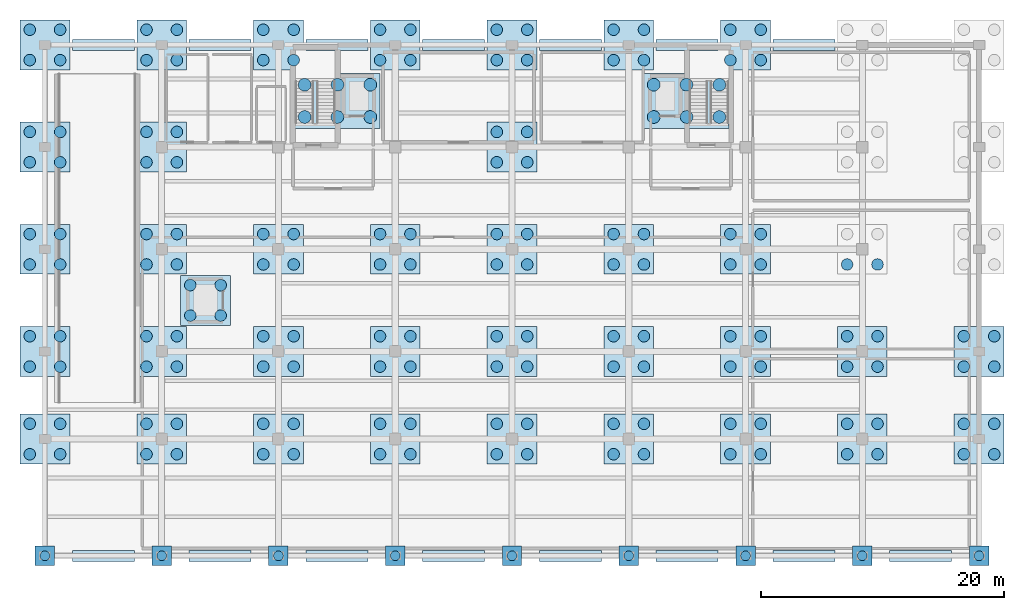
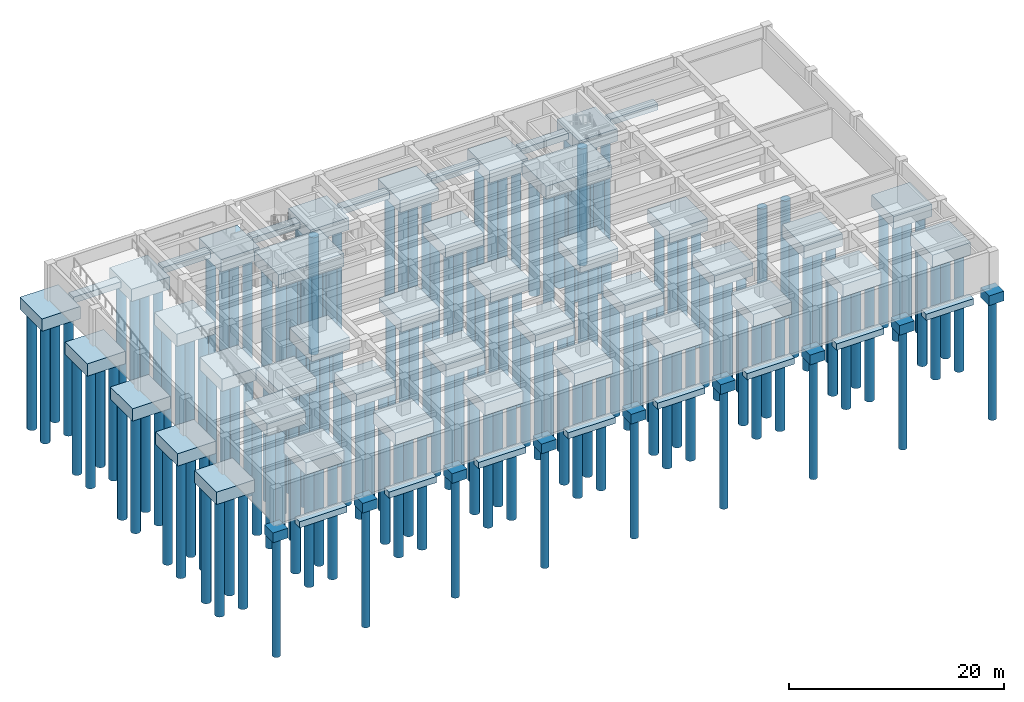
# One storey, part 1 of 8: 167 piles, 62 footings.
"""IFC4 building model written with IfcOpenShell, lengths in metres."""

from ifc_helpers import new_model, si_unit, direction, frame, origin, origin_2d, place, context, subcontext, project, spatial, rectangle, circle, extrude, material, material_profile, profile_set, type_object, element, save


model = new_model("IFC4")

# Units and contexts
model_context = context("Model", 3, precision=1e-05, world=origin(), true_north=direction((0.0, 1.0)))
body_context = subcontext(model_context, "Body", "Model", "MODEL_VIEW")
ifc_project = project(units=[si_unit("LENGTHUNIT", "METRE"), si_unit("AREAUNIT", "SQUARE_METRE"), si_unit("VOLUMEUNIT", "CUBIC_METRE"), si_unit("PLANEANGLEUNIT", "RADIAN"), si_unit("MASSUNIT", "GRAM", prefix="KILO")], contexts=[model_context])

# Site, building, storey
site_placement = place(None, origin())
site = spatial("IfcSite", under=ifc_project, at=site_placement, CompositionType="ELEMENT")
building_placement = place(site_placement, origin())
building = spatial("IfcBuilding", under=site, at=building_placement, Name="Bempovik Park Faculty of Sciences", CompositionType="ELEMENT")
storey_placement = place(building_placement, frame((0.0, 0.0, -4.5)))
storey = spatial("IfcBuildingStorey", under=building, at=storey_placement, Name="B1", CompositionType="ELEMENT", Elevation=-4.5)

# Footings
ifc_material = material(Name="Concrete C35/45", Category="concrete")
footing_type_1 = type_object("IfcFootingType", Name="F-21 Pile Cap 4100x4100x1400", PredefinedType="PILE_CAP", material=ifc_material)
for number, where, z_axis, x_axis, name in (
    (1, (63.60009765625, 98.39990234375, -1.800048828125), (0.0, 0.0, 1.0), (1.0, 0.0, 0.0), "Footing FT-LF5-B1"),
    (2, (50.39990234375, 87.0, -1.800048828125), (0.0, 0.0, 1.0), (1.0, 0.0, 0.0), "Footing FT-B1-504-870"),
    (3, (50.39990234375, 94.199951171875, -1.800048828125), (0.0, 0.0, 1.0), (1.0, 0.0, 0.0), "Footing FT-B1-504-942"),
    (4, (50.39990234375, 102.60009765625, -1.800048828125), (0.0, 0.0, 1.0), (1.0, 0.0, 0.0), "Footing FT-B1-504-1026"),
    (5, (50.39990234375, 111.0, -1.800048828125), (0.0, 0.0, 1.0), (1.0, 0.0, 0.0), "Footing FT-B1-504-1110"),
    (6, (50.39990234375, 119.39990234375, -1.800048828125), (0.0, 0.0, 1.0), (1.0, 0.0, 0.0), "Footing FT-B1-504-1194"),
    (7, (60.0, 87.0, -1.800048828125), (0.0, 0.0, 1.0), (1.0, 0.0, 0.0), "Footing FT-B1-600-870"),
    (8, (60.0, 94.199951171875, -1.800048828125), (0.0, 0.0, 1.0), (1.0, 0.0, 0.0), "Footing FT-B1-600-942"),
    (9, (60.0, 102.60009765625, -1.800048828125), (0.0, 0.0, 1.0), (1.0, 0.0, 0.0), "Footing FT-B1-600-1026"),
    (10, (60.0, 111.0, -1.800048828125), (0.0, 0.0, 1.0), (1.0, 0.0, 0.0), "Footing FT-B1-600-1110"),
    (11, (60.0, 119.39990234375, -1.800048828125), (0.0, 0.0, 1.0), (1.0, 0.0, 0.0), "Footing FT-B1-600-1194"),
    (12, (69.60009765625, 87.0, -1.800048828125), (0.0, 0.0, 1.0), (1.0, 0.0, 0.0), "Footing FT-B1-696-870"),
    (13, (69.60009765625, 94.199951171875, -1.800048828125), (0.0, 0.0, 1.0), (1.0, 0.0, 0.0), "Footing FT-B1-696-942"),
    (14, (69.60009765625, 102.60009765625, -1.800048828125), (0.0, 0.0, 1.0), (1.0, 0.0, 0.0), "Footing FT-B1-696-1026"),
    (15, (69.60009765625, 119.39990234375, -1.800048828125), (0.0, 0.0, 1.0), (1.0, 0.0, 0.0), "Footing FT-B1-696-1194"),
    (16, (79.199951171875, 87.0, -1.800048828125), (0.0, 0.0, 1.0), (1.0, 0.0, 0.0), "Footing FT-B1-792-870"),
    (17, (79.199951171875, 94.199951171875, -1.800048828125), (0.0, 0.0, 1.0), (1.0, 0.0, 0.0), "Footing FT-B1-792-942"),
    (18, (79.199951171875, 102.60009765625, -1.800048828125), (0.0, 0.0, 1.0), (1.0, 0.0, 0.0), "Footing FT-B1-792-1026"),
    (19, (79.199951171875, 119.39990234375, -1.800048828125), (0.0, 0.0, 1.0), (1.0, 0.0, 0.0), "Footing FT-B1-792-1194"),
    (20, (88.800048828125, 87.0, -1.800048828125), (0.0, 0.0, 1.0), (1.0, 0.0, 0.0), "Footing FT-B1-888-870"),
    (21, (88.800048828125, 94.199951171875, -1.800048828125), (0.0, 0.0, 1.0), (1.0, 0.0, 0.0), "Footing FT-B1-888-942"),
    (22, (88.800048828125, 102.60009765625, -1.800048828125), (0.0, 0.0, 1.0), (1.0, 0.0, 0.0), "Footing FT-B1-888-1026"),
    (23, (88.800048828125, 111.0, -1.800048828125), (0.0, 0.0, 1.0), (1.0, 0.0, 0.0), "Footing FT-B1-888-1110"),
    (24, (88.800048828125, 119.39990234375, -1.800048828125), (0.0, 0.0, 1.0), (1.0, 0.0, 0.0), "Footing FT-B1-888-1194"),
    (25, (98.39990234375, 87.0, -1.800048828125), (0.0, 0.0, 1.0), (1.0, 0.0, 0.0), "Footing FT-B1-984-870"),
    (26, (98.39990234375, 94.199951171875, -1.800048828125), (0.0, 0.0, 1.0), (1.0, 0.0, 0.0), "Footing FT-B1-984-942"),
    (27, (98.39990234375, 102.60009765625, -1.800048828125), (0.0, 0.0, 1.0), (1.0, 0.0, 0.0), "Footing FT-B1-984-1026"),
    (28, (98.39990234375, 119.39990234375, -1.800048828125), (0.0, 0.0, 1.0), (1.0, 0.0, 0.0), "Footing FT-B1-984-1194"),
    (29, (108.0, 87.0, -1.800048828125), (0.0, 0.0, 1.0), (1.0, 0.0, 0.0), "Footing FT-B1-1080-870"),
    (30, (108.0, 94.199951171875, -1.800048828125), (0.0, 0.0, 1.0), (1.0, 0.0, 0.0), "Footing FT-B1-1080-942"),
    (31, (108.0, 102.60009765625, -1.800048828125), (0.0, 0.0, 1.0), (1.0, 0.0, 0.0), "Footing FT-B1-1080-1026"),
    (32, (108.0, 119.39990234375, -1.800048828125), (0.0, 0.0, 1.0), (1.0, 0.0, 0.0), "Footing FT-B1-1080-1194"),
    (33, (117.60009765625, 87.0, -1.800048828125), (0.0, 0.0, 1.0), (1.0, 0.0, 0.0), "Footing FT-B1-1176-870"),
    (34, (117.60009765625, 94.199951171875, -1.800048828125), (0.0, 0.0, 1.0), (1.0, 0.0, 0.0), "Footing FT-B1-1176-942"),
    (35, (127.199951171875, 87.0, -1.800048828125), (0.0, 0.0, 1.0), (1.0, 0.0, 0.0), "Footing FT-B1-1272-870"),
    (36, (127.199951171875, 94.199951171875, -1.800048828125), (0.0, 0.0, 1.0), (1.0, 0.0, 0.0), "Footing FT-B1-1272-942"),
):
    element("IfcFooting", number, at=place(storey_placement, frame(where, z_axis=z_axis, x_axis=x_axis)), inside=storey, type_object=footing_type_1, Name=name, PredefinedType="PILE_CAP", context=body_context, shape_type="SweptSolid", body=[
        extrude(rectangle(XDim=4.10009765625, YDim=4.10009765625, at=origin_2d()), origin(), (0.0, 0.0, 1.0), 1.39990234375),
    ])
footing_type_2 = type_object("IfcFootingType", Name="F-35 Pile Cap 1600x1600x1100", PredefinedType="PILE_CAP", material=ifc_material)
for number, where, z_axis, x_axis, name in (
    (37, (50.39990234375, 77.39990234375, -1.5), (0.0, 0.0, 1.0), (1.0, 0.0, 0.0), "Footing FT-B1-504-774"),
    (38, (60.0, 77.39990234375, -1.5), (0.0, 0.0, 1.0), (1.0, 0.0, 0.0), "Footing FT-B1-600-774"),
    (39, (69.60009765625, 77.39990234375, -1.5), (0.0, 0.0, 1.0), (1.0, 0.0, 0.0), "Footing FT-B1-696-774"),
    (40, (79.199951171875, 77.39990234375, -1.5), (0.0, 0.0, 1.0), (1.0, 0.0, 0.0), "Footing FT-B1-792-774"),
    (41, (88.800048828125, 77.39990234375, -1.5), (0.0, 0.0, 1.0), (1.0, 0.0, 0.0), "Footing FT-B1-888-774"),
    (42, (98.39990234375, 77.39990234375, -1.5), (0.0, 0.0, 1.0), (1.0, 0.0, 0.0), "Footing FT-B1-984-774"),
    (43, (108.0, 77.39990234375, -1.5), (0.0, 0.0, 1.0), (1.0, 0.0, 0.0), "Footing FT-B1-1080-774"),
    (44, (117.60009765625, 77.39990234375, -1.5), (0.0, 0.0, 1.0), (1.0, 0.0, 0.0), "Footing FT-B1-1176-774"),
    (45, (127.199951171875, 77.39990234375, -1.5), (0.0, 0.0, 1.0), (1.0, 0.0, 0.0), "Footing FT-B1-1272-774"),
):
    element("IfcFooting", number, at=place(storey_placement, frame(where, z_axis=z_axis, x_axis=x_axis)), inside=storey, type_object=footing_type_2, Name=name, PredefinedType="PILE_CAP", context=body_context, shape_type="SweptSolid", body=[
        extrude(rectangle(XDim=1.60009765625, YDim=1.60009765625, at=origin_2d()), origin(), (0.0, 0.0, 1.0), 1.10009765625),
    ])
footing_type_3 = type_object("IfcFootingType", Name="F-37 Pile Cap 7000x4500x1500", PredefinedType="PILE_CAP", material=ifc_material)
for number, where, z_axis, x_axis, name in (
    (46, (74.449951171875, 114.800048828125, -1.89990234375), (0.0, 0.0, 1.0), (1.0, 0.0, 0.0), "Footing FT-CORE-W"),
    (47, (103.14990234375, 114.800048828125, -1.89990234375), (0.0, 0.0, 1.0), (1.0, 0.0, 0.0), "Footing FT-CORE-E"),
):
    element("IfcFooting", number, at=place(storey_placement, frame(where, z_axis=z_axis, x_axis=x_axis)), inside=storey, type_object=footing_type_3, Name=name, PredefinedType="PILE_CAP", context=body_context, shape_type="SweptSolid", body=[
        extrude(rectangle(XDim=7.0, YDim=4.5, at=origin_2d()), origin(), (0.0, 0.0, 1.0), 1.5),
    ])
footing_type_4 = type_object("IfcFootingType", Name="F-45 GB 900x700", PredefinedType="STRIP_FOOTING", material=ifc_material)
for number, where, z_axis, x_axis, name in (
    (48, (55.199951171875, 77.39990234375, -1.10009765625), (0.0, 0.0, 1.0), (1.0, 0.0, 0.0), "Retaining Strip Footing SF-B1-01"),
    (49, (64.800048828125, 77.39990234375, -1.10009765625), (0.0, 0.0, 1.0), (1.0, 0.0, 0.0), "Retaining Strip Footing SF-B1-02"),
    (50, (74.39990234375, 77.39990234375, -1.10009765625), (0.0, 0.0, 1.0), (1.0, 0.0, 0.0), "Retaining Strip Footing SF-B1-03"),
    (51, (84.0, 77.39990234375, -1.10009765625), (0.0, 0.0, 1.0), (1.0, 0.0, 0.0), "Retaining Strip Footing SF-B1-04"),
    (52, (93.60009765625, 77.39990234375, -1.10009765625), (0.0, 0.0, 1.0), (1.0, 0.0, 0.0), "Retaining Strip Footing SF-B1-05"),
    (53, (103.199951171875, 77.39990234375, -1.10009765625), (0.0, 0.0, 1.0), (1.0, 0.0, 0.0), "Retaining Strip Footing SF-B1-06"),
    (54, (112.800048828125, 77.39990234375, -1.10009765625), (0.0, 0.0, 1.0), (1.0, 0.0, 0.0), "Retaining Strip Footing SF-B1-07"),
    (55, (122.39990234375, 77.39990234375, -1.10009765625), (0.0, 0.0, 1.0), (1.0, 0.0, 0.0), "Retaining Strip Footing SF-B1-08"),
    (56, (55.199951171875, 119.39990234375, -1.10009765625), (0.0, 0.0, 1.0), (1.0, 0.0, 0.0), "Retaining Strip Footing SF-B1-09"),
    (57, (64.800048828125, 119.39990234375, -1.10009765625), (0.0, 0.0, 1.0), (1.0, 0.0, 0.0), "Retaining Strip Footing SF-B1-10"),
    (58, (74.39990234375, 119.39990234375, -1.10009765625), (0.0, 0.0, 1.0), (1.0, 0.0, 0.0), "Retaining Strip Footing SF-B1-11"),
    (59, (84.0, 119.39990234375, -1.10009765625), (0.0, 0.0, 1.0), (1.0, 0.0, 0.0), "Retaining Strip Footing SF-B1-12"),
    (60, (93.60009765625, 119.39990234375, -1.10009765625), (0.0, 0.0, 1.0), (1.0, 0.0, 0.0), "Retaining Strip Footing SF-B1-13"),
    (61, (103.199951171875, 119.39990234375, -1.10009765625), (0.0, 0.0, 1.0), (1.0, 0.0, 0.0), "Retaining Strip Footing SF-B1-14"),
    (62, (112.800048828125, 119.39990234375, -1.10009765625), (0.0, 0.0, 1.0), (1.0, 0.0, 0.0), "Retaining Strip Footing SF-B1-15"),
):
    element("IfcFooting", number, at=place(storey_placement, frame(where, z_axis=z_axis, x_axis=x_axis)), inside=storey, type_object=footing_type_4, Name=name, PredefinedType="STRIP_FOOTING", context=body_context, shape_type="SweptSolid", body=[
        extrude(rectangle(XDim=5.10009765625, YDim=0.89990234375, at=origin_2d()), origin(), (0.0, 0.0, 1.0), 0.699951171875),
    ])

# Piles
ifc_material_profile_1 = material_profile(ifc_material, circle(Radius=0.39990234375, at=origin_2d()), Name="BP D800")
ifc_profile_set_1 = profile_set([ifc_material_profile_1], Name="Concrete C35/45")
pile_type_1 = type_object("IfcPileType", Name="P-12 BP D800", PredefinedType="BORED", material=ifc_profile_set_1)
for number, where, z_axis, x_axis, name in (
    (63, (50.39990234375, 77.39990234375, -1.39990234375), (0.0, 0.0, -1.0), (1.0, 0.0, 0.0), "Bored Pile FT-B1-504-774-P1"),
    (64, (60.0, 77.39990234375, -1.39990234375), (0.0, 0.0, -1.0), (1.0, 0.0, 0.0), "Bored Pile FT-B1-600-774-P1"),
    (65, (69.60009765625, 77.39990234375, -1.39990234375), (0.0, 0.0, -1.0), (1.0, 0.0, 0.0), "Bored Pile FT-B1-696-774-P1"),
    (66, (79.199951171875, 77.39990234375, -1.39990234375), (0.0, 0.0, -1.0), (1.0, 0.0, 0.0), "Bored Pile FT-B1-792-774-P1"),
    (67, (88.800048828125, 77.39990234375, -1.39990234375), (0.0, 0.0, -1.0), (1.0, 0.0, 0.0), "Bored Pile FT-B1-888-774-P1"),
    (68, (98.39990234375, 77.39990234375, -1.39990234375), (0.0, 0.0, -1.0), (1.0, 0.0, 0.0), "Bored Pile FT-B1-984-774-P1"),
    (69, (108.0, 77.39990234375, -1.39990234375), (0.0, 0.0, -1.0), (1.0, 0.0, 0.0), "Bored Pile FT-B1-1080-774-P1"),
    (70, (117.60009765625, 77.39990234375, -1.39990234375), (0.0, 0.0, -1.0), (1.0, 0.0, 0.0), "Bored Pile FT-B1-1176-774-P1"),
    (71, (127.199951171875, 77.39990234375, -1.39990234375), (0.0, 0.0, -1.0), (1.0, 0.0, 0.0), "Bored Pile FT-B1-1272-774-P1"),
):
    element("IfcPile", number, at=place(storey_placement, frame(where, z_axis=z_axis, x_axis=x_axis)), inside=storey, type_object=pile_type_1, Name=name, PredefinedType="BORED", context=body_context, shape_type="SweptSolid", body=[
        extrude(circle(Radius=0.39990234375, at=origin_2d()), origin(), (0.0, 0.0, 1.0), 13.60009765625),
    ])
ifc_material_profile_2 = material_profile(ifc_material, circle(Radius=0.52490234375, at=origin_2d()), Name="BP D1050")
ifc_profile_set_2 = profile_set([ifc_material_profile_2], Name="Concrete C35/45")
pile_type_2 = type_object("IfcPileType", Name="P-13 BP D1050", PredefinedType="BORED", material=ifc_profile_set_2)
for number, where, z_axis, x_axis, name in (
    (72, (71.75, 113.47509765625, -1.800048828125), (0.0, 0.0, -1.0), (1.0, 0.0, 0.0), "Bored Pile FT-CORE-W-P1"),
    (73, (71.75, 116.125, -1.800048828125), (0.0, 0.0, -1.0), (1.0, 0.0, 0.0), "Bored Pile FT-CORE-W-P2"),
    (74, (74.449951171875, 113.47509765625, -1.800048828125), (0.0, 0.0, -1.0), (1.0, 0.0, 0.0), "Bored Pile FT-CORE-W-P3"),
    (75, (74.449951171875, 116.125, -1.800048828125), (0.0, 0.0, -1.0), (1.0, 0.0, 0.0), "Bored Pile FT-CORE-W-P4"),
    (76, (77.14990234375, 113.47509765625, -1.800048828125), (0.0, 0.0, -1.0), (1.0, 0.0, 0.0), "Bored Pile FT-CORE-W-P5"),
    (77, (77.14990234375, 116.125, -1.800048828125), (0.0, 0.0, -1.0), (1.0, 0.0, 0.0), "Bored Pile FT-CORE-W-P6"),
    (78, (100.449951171875, 113.47509765625, -1.800048828125), (0.0, 0.0, -1.0), (1.0, 0.0, 0.0), "Bored Pile FT-CORE-E-P1"),
    (79, (100.449951171875, 116.125, -1.800048828125), (0.0, 0.0, -1.0), (1.0, 0.0, 0.0), "Bored Pile FT-CORE-E-P2"),
    (80, (103.14990234375, 113.47509765625, -1.800048828125), (0.0, 0.0, -1.0), (1.0, 0.0, 0.0), "Bored Pile FT-CORE-E-P3"),
    (81, (103.14990234375, 116.125, -1.800048828125), (0.0, 0.0, -1.0), (1.0, 0.0, 0.0), "Bored Pile FT-CORE-E-P4"),
    (82, (105.85009765625, 113.47509765625, -1.800048828125), (0.0, 0.0, -1.0), (1.0, 0.0, 0.0), "Bored Pile FT-CORE-E-P5"),
    (83, (105.85009765625, 116.125, -1.800048828125), (0.0, 0.0, -1.0), (1.0, 0.0, 0.0), "Bored Pile FT-CORE-E-P6"),
):
    element("IfcPile", number, at=place(storey_placement, frame(where, z_axis=z_axis, x_axis=x_axis)), inside=storey, type_object=pile_type_2, Name=name, PredefinedType="BORED", context=body_context, shape_type="SweptSolid", body=[
        extrude(circle(Radius=0.52490234375, at=origin_2d()), origin(), (0.0, 0.0, 1.0), 13.199951171875),
    ])
ifc_material_profile_3 = material_profile(ifc_material, circle(Radius=0.47509765625, at=origin_2d()), Name="BP D950")
ifc_profile_set_3 = profile_set([ifc_material_profile_3], Name="Concrete C35/45")
pile_type_3 = type_object("IfcPileType", Name="P-14 BP D950", PredefinedType="BORED", material=ifc_profile_set_3)
for number, where, z_axis, x_axis, name in (
    (84, (62.35009765625, 97.14990234375, -1.699951171875), (0.0, 0.0, -1.0), (1.0, 0.0, 0.0), "Bored Pile FT-LF5-B1-P1"),
    (85, (62.35009765625, 99.64990234375, -1.699951171875), (0.0, 0.0, -1.0), (1.0, 0.0, 0.0), "Bored Pile FT-LF5-B1-P2"),
    (86, (64.85009765625, 97.14990234375, -1.699951171875), (0.0, 0.0, -1.0), (1.0, 0.0, 0.0), "Bored Pile FT-LF5-B1-P3"),
    (87, (64.85009765625, 99.64990234375, -1.699951171875), (0.0, 0.0, -1.0), (1.0, 0.0, 0.0), "Bored Pile FT-LF5-B1-P4"),
    (88, (49.14990234375, 85.75, -1.699951171875), (0.0, 0.0, -1.0), (1.0, 0.0, 0.0), "Bored Pile FT-B1-504-870-P1"),
    (89, (49.14990234375, 88.25, -1.699951171875), (0.0, 0.0, -1.0), (1.0, 0.0, 0.0), "Bored Pile FT-B1-504-870-P2"),
    (90, (51.64990234375, 85.75, -1.699951171875), (0.0, 0.0, -1.0), (1.0, 0.0, 0.0), "Bored Pile FT-B1-504-870-P3"),
    (91, (51.64990234375, 88.25, -1.699951171875), (0.0, 0.0, -1.0), (1.0, 0.0, 0.0), "Bored Pile FT-B1-504-870-P4"),
    (92, (49.14990234375, 92.949951171875, -1.699951171875), (0.0, 0.0, -1.0), (1.0, 0.0, 0.0), "Bored Pile FT-B1-504-942-P1"),
    (93, (49.14990234375, 95.449951171875, -1.699951171875), (0.0, 0.0, -1.0), (1.0, 0.0, 0.0), "Bored Pile FT-B1-504-942-P2"),
    (94, (51.64990234375, 92.949951171875, -1.699951171875), (0.0, 0.0, -1.0), (1.0, 0.0, 0.0), "Bored Pile FT-B1-504-942-P3"),
    (95, (51.64990234375, 95.449951171875, -1.699951171875), (0.0, 0.0, -1.0), (1.0, 0.0, 0.0), "Bored Pile FT-B1-504-942-P4"),
    (96, (49.14990234375, 101.35009765625, -1.699951171875), (0.0, 0.0, -1.0), (1.0, 0.0, 0.0), "Bored Pile FT-B1-504-1026-P1"),
    (97, (49.14990234375, 103.85009765625, -1.699951171875), (0.0, 0.0, -1.0), (1.0, 0.0, 0.0), "Bored Pile FT-B1-504-1026-P2"),
    (98, (51.64990234375, 101.35009765625, -1.699951171875), (0.0, 0.0, -1.0), (1.0, 0.0, 0.0), "Bored Pile FT-B1-504-1026-P3"),
    (99, (51.64990234375, 103.85009765625, -1.699951171875), (0.0, 0.0, -1.0), (1.0, 0.0, 0.0), "Bored Pile FT-B1-504-1026-P4"),
    (100, (49.14990234375, 109.75, -1.699951171875), (0.0, 0.0, -1.0), (1.0, 0.0, 0.0), "Bored Pile FT-B1-504-1110-P1"),
    (101, (49.14990234375, 112.25, -1.699951171875), (0.0, 0.0, -1.0), (1.0, 0.0, 0.0), "Bored Pile FT-B1-504-1110-P2"),
    (102, (51.64990234375, 109.75, -1.699951171875), (0.0, 0.0, -1.0), (1.0, 0.0, 0.0), "Bored Pile FT-B1-504-1110-P3"),
    (103, (51.64990234375, 112.25, -1.699951171875), (0.0, 0.0, -1.0), (1.0, 0.0, 0.0), "Bored Pile FT-B1-504-1110-P4"),
    (104, (49.14990234375, 118.14990234375, -1.699951171875), (0.0, 0.0, -1.0), (1.0, 0.0, 0.0), "Bored Pile FT-B1-504-1194-P1"),
    (105, (49.14990234375, 120.64990234375, -1.699951171875), (0.0, 0.0, -1.0), (1.0, 0.0, 0.0), "Bored Pile FT-B1-504-1194-P2"),
    (106, (51.64990234375, 118.14990234375, -1.699951171875), (0.0, 0.0, -1.0), (1.0, 0.0, 0.0), "Bored Pile FT-B1-504-1194-P3"),
    (107, (51.64990234375, 120.64990234375, -1.699951171875), (0.0, 0.0, -1.0), (1.0, 0.0, 0.0), "Bored Pile FT-B1-504-1194-P4"),
    (108, (58.75, 85.75, -1.699951171875), (0.0, 0.0, -1.0), (1.0, 0.0, 0.0), "Bored Pile FT-B1-600-870-P1"),
    (109, (58.75, 88.25, -1.699951171875), (0.0, 0.0, -1.0), (1.0, 0.0, 0.0), "Bored Pile FT-B1-600-870-P2"),
    (110, (61.25, 85.75, -1.699951171875), (0.0, 0.0, -1.0), (1.0, 0.0, 0.0), "Bored Pile FT-B1-600-870-P3"),
    (111, (61.25, 88.25, -1.699951171875), (0.0, 0.0, -1.0), (1.0, 0.0, 0.0), "Bored Pile FT-B1-600-870-P4"),
    (112, (58.75, 92.949951171875, -1.699951171875), (0.0, 0.0, -1.0), (1.0, 0.0, 0.0), "Bored Pile FT-B1-600-942-P1"),
    (113, (58.75, 95.449951171875, -1.699951171875), (0.0, 0.0, -1.0), (1.0, 0.0, 0.0), "Bored Pile FT-B1-600-942-P2"),
    (114, (61.25, 92.949951171875, -1.699951171875), (0.0, 0.0, -1.0), (1.0, 0.0, 0.0), "Bored Pile FT-B1-600-942-P3"),
    (115, (61.25, 95.449951171875, -1.699951171875), (0.0, 0.0, -1.0), (1.0, 0.0, 0.0), "Bored Pile FT-B1-600-942-P4"),
    (116, (58.75, 101.35009765625, -1.699951171875), (0.0, 0.0, -1.0), (1.0, 0.0, 0.0), "Bored Pile FT-B1-600-1026-P1"),
    (117, (58.75, 103.85009765625, -1.699951171875), (0.0, 0.0, -1.0), (1.0, 0.0, 0.0), "Bored Pile FT-B1-600-1026-P2"),
    (118, (61.25, 101.35009765625, -1.699951171875), (0.0, 0.0, -1.0), (1.0, 0.0, 0.0), "Bored Pile FT-B1-600-1026-P3"),
    (119, (61.25, 103.85009765625, -1.699951171875), (0.0, 0.0, -1.0), (1.0, 0.0, 0.0), "Bored Pile FT-B1-600-1026-P4"),
    (120, (58.75, 109.75, -1.699951171875), (0.0, 0.0, -1.0), (1.0, 0.0, 0.0), "Bored Pile FT-B1-600-1110-P1"),
    (121, (58.75, 112.25, -1.699951171875), (0.0, 0.0, -1.0), (1.0, 0.0, 0.0), "Bored Pile FT-B1-600-1110-P2"),
    (122, (61.25, 109.75, -1.699951171875), (0.0, 0.0, -1.0), (1.0, 0.0, 0.0), "Bored Pile FT-B1-600-1110-P3"),
    (123, (61.25, 112.25, -1.699951171875), (0.0, 0.0, -1.0), (1.0, 0.0, 0.0), "Bored Pile FT-B1-600-1110-P4"),
    (124, (58.75, 118.14990234375, -1.699951171875), (0.0, 0.0, -1.0), (1.0, 0.0, 0.0), "Bored Pile FT-B1-600-1194-P1"),
    (125, (58.75, 120.64990234375, -1.699951171875), (0.0, 0.0, -1.0), (1.0, 0.0, 0.0), "Bored Pile FT-B1-600-1194-P2"),
    (126, (61.25, 118.14990234375, -1.699951171875), (0.0, 0.0, -1.0), (1.0, 0.0, 0.0), "Bored Pile FT-B1-600-1194-P3"),
    (127, (61.25, 120.64990234375, -1.699951171875), (0.0, 0.0, -1.0), (1.0, 0.0, 0.0), "Bored Pile FT-B1-600-1194-P4"),
    (128, (68.35009765625, 85.75, -1.699951171875), (0.0, 0.0, -1.0), (1.0, 0.0, 0.0), "Bored Pile FT-B1-696-870-P1"),
    (129, (68.35009765625, 88.25, -1.699951171875), (0.0, 0.0, -1.0), (1.0, 0.0, 0.0), "Bored Pile FT-B1-696-870-P2"),
    (130, (70.85009765625, 85.75, -1.699951171875), (0.0, 0.0, -1.0), (1.0, 0.0, 0.0), "Bored Pile FT-B1-696-870-P3"),
    (131, (70.85009765625, 88.25, -1.699951171875), (0.0, 0.0, -1.0), (1.0, 0.0, 0.0), "Bored Pile FT-B1-696-870-P4"),
    (132, (68.35009765625, 92.949951171875, -1.699951171875), (0.0, 0.0, -1.0), (1.0, 0.0, 0.0), "Bored Pile FT-B1-696-942-P1"),
    (133, (68.35009765625, 95.449951171875, -1.699951171875), (0.0, 0.0, -1.0), (1.0, 0.0, 0.0), "Bored Pile FT-B1-696-942-P2"),
    (134, (70.85009765625, 92.949951171875, -1.699951171875), (0.0, 0.0, -1.0), (1.0, 0.0, 0.0), "Bored Pile FT-B1-696-942-P3"),
    (135, (70.85009765625, 95.449951171875, -1.699951171875), (0.0, 0.0, -1.0), (1.0, 0.0, 0.0), "Bored Pile FT-B1-696-942-P4"),
    (136, (68.35009765625, 101.35009765625, -1.699951171875), (0.0, 0.0, -1.0), (1.0, 0.0, 0.0), "Bored Pile FT-B1-696-1026-P1"),
    (137, (68.35009765625, 103.85009765625, -1.699951171875), (0.0, 0.0, -1.0), (1.0, 0.0, 0.0), "Bored Pile FT-B1-696-1026-P2"),
    (138, (70.85009765625, 101.35009765625, -1.699951171875), (0.0, 0.0, -1.0), (1.0, 0.0, 0.0), "Bored Pile FT-B1-696-1026-P3"),
    (139, (70.85009765625, 103.85009765625, -1.699951171875), (0.0, 0.0, -1.0), (1.0, 0.0, 0.0), "Bored Pile FT-B1-696-1026-P4"),
    (140, (68.35009765625, 118.14990234375, -1.699951171875), (0.0, 0.0, -1.0), (1.0, 0.0, 0.0), "Bored Pile FT-B1-696-1194-P1"),
    (141, (68.35009765625, 120.64990234375, -1.699951171875), (0.0, 0.0, -1.0), (1.0, 0.0, 0.0), "Bored Pile FT-B1-696-1194-P2"),
    (142, (70.85009765625, 118.14990234375, -1.699951171875), (0.0, 0.0, -1.0), (1.0, 0.0, 0.0), "Bored Pile FT-B1-696-1194-P3"),
    (143, (70.85009765625, 120.64990234375, -1.699951171875), (0.0, 0.0, -1.0), (1.0, 0.0, 0.0), "Bored Pile FT-B1-696-1194-P4"),
    (144, (77.949951171875, 85.75, -1.699951171875), (0.0, 0.0, -1.0), (1.0, 0.0, 0.0), "Bored Pile FT-B1-792-870-P1"),
    (145, (77.949951171875, 88.25, -1.699951171875), (0.0, 0.0, -1.0), (1.0, 0.0, 0.0), "Bored Pile FT-B1-792-870-P2"),
    (146, (80.449951171875, 85.75, -1.699951171875), (0.0, 0.0, -1.0), (1.0, 0.0, 0.0), "Bored Pile FT-B1-792-870-P3"),
    (147, (80.449951171875, 88.25, -1.699951171875), (0.0, 0.0, -1.0), (1.0, 0.0, 0.0), "Bored Pile FT-B1-792-870-P4"),
    (148, (77.949951171875, 92.949951171875, -1.699951171875), (0.0, 0.0, -1.0), (1.0, 0.0, 0.0), "Bored Pile FT-B1-792-942-P1"),
    (149, (77.949951171875, 95.449951171875, -1.699951171875), (0.0, 0.0, -1.0), (1.0, 0.0, 0.0), "Bored Pile FT-B1-792-942-P2"),
    (150, (80.449951171875, 92.949951171875, -1.699951171875), (0.0, 0.0, -1.0), (1.0, 0.0, 0.0), "Bored Pile FT-B1-792-942-P3"),
    (151, (80.449951171875, 95.449951171875, -1.699951171875), (0.0, 0.0, -1.0), (1.0, 0.0, 0.0), "Bored Pile FT-B1-792-942-P4"),
    (152, (77.949951171875, 101.35009765625, -1.699951171875), (0.0, 0.0, -1.0), (1.0, 0.0, 0.0), "Bored Pile FT-B1-792-1026-P1"),
    (153, (77.949951171875, 103.85009765625, -1.699951171875), (0.0, 0.0, -1.0), (1.0, 0.0, 0.0), "Bored Pile FT-B1-792-1026-P2"),
    (154, (80.449951171875, 101.35009765625, -1.699951171875), (0.0, 0.0, -1.0), (1.0, 0.0, 0.0), "Bored Pile FT-B1-792-1026-P3"),
    (155, (80.449951171875, 103.85009765625, -1.699951171875), (0.0, 0.0, -1.0), (1.0, 0.0, 0.0), "Bored Pile FT-B1-792-1026-P4"),
    (156, (77.949951171875, 118.14990234375, -1.699951171875), (0.0, 0.0, -1.0), (1.0, 0.0, 0.0), "Bored Pile FT-B1-792-1194-P1"),
    (157, (77.949951171875, 120.64990234375, -1.699951171875), (0.0, 0.0, -1.0), (1.0, 0.0, 0.0), "Bored Pile FT-B1-792-1194-P2"),
    (158, (80.449951171875, 118.14990234375, -1.699951171875), (0.0, 0.0, -1.0), (1.0, 0.0, 0.0), "Bored Pile FT-B1-792-1194-P3"),
    (159, (80.449951171875, 120.64990234375, -1.699951171875), (0.0, 0.0, -1.0), (1.0, 0.0, 0.0), "Bored Pile FT-B1-792-1194-P4"),
    (160, (87.550048828125, 85.75, -1.699951171875), (0.0, 0.0, -1.0), (1.0, 0.0, 0.0), "Bored Pile FT-B1-888-870-P1"),
    (161, (87.550048828125, 88.25, -1.699951171875), (0.0, 0.0, -1.0), (1.0, 0.0, 0.0), "Bored Pile FT-B1-888-870-P2"),
    (162, (90.050048828125, 85.75, -1.699951171875), (0.0, 0.0, -1.0), (1.0, 0.0, 0.0), "Bored Pile FT-B1-888-870-P3"),
    (163, (90.050048828125, 88.25, -1.699951171875), (0.0, 0.0, -1.0), (1.0, 0.0, 0.0), "Bored Pile FT-B1-888-870-P4"),
    (164, (87.550048828125, 92.949951171875, -1.699951171875), (0.0, 0.0, -1.0), (1.0, 0.0, 0.0), "Bored Pile FT-B1-888-942-P1"),
    (165, (87.550048828125, 95.449951171875, -1.699951171875), (0.0, 0.0, -1.0), (1.0, 0.0, 0.0), "Bored Pile FT-B1-888-942-P2"),
    (166, (90.050048828125, 92.949951171875, -1.699951171875), (0.0, 0.0, -1.0), (1.0, 0.0, 0.0), "Bored Pile FT-B1-888-942-P3"),
    (167, (90.050048828125, 95.449951171875, -1.699951171875), (0.0, 0.0, -1.0), (1.0, 0.0, 0.0), "Bored Pile FT-B1-888-942-P4"),
    (168, (87.550048828125, 101.35009765625, -1.699951171875), (0.0, 0.0, -1.0), (1.0, 0.0, 0.0), "Bored Pile FT-B1-888-1026-P1"),
    (169, (87.550048828125, 103.85009765625, -1.699951171875), (0.0, 0.0, -1.0), (1.0, 0.0, 0.0), "Bored Pile FT-B1-888-1026-P2"),
    (170, (90.050048828125, 101.35009765625, -1.699951171875), (0.0, 0.0, -1.0), (1.0, 0.0, 0.0), "Bored Pile FT-B1-888-1026-P3"),
    (171, (90.050048828125, 103.85009765625, -1.699951171875), (0.0, 0.0, -1.0), (1.0, 0.0, 0.0), "Bored Pile FT-B1-888-1026-P4"),
    (172, (87.550048828125, 109.75, -1.699951171875), (0.0, 0.0, -1.0), (1.0, 0.0, 0.0), "Bored Pile FT-B1-888-1110-P1"),
    (173, (87.550048828125, 112.25, -1.699951171875), (0.0, 0.0, -1.0), (1.0, 0.0, 0.0), "Bored Pile FT-B1-888-1110-P2"),
    (174, (90.050048828125, 109.75, -1.699951171875), (0.0, 0.0, -1.0), (1.0, 0.0, 0.0), "Bored Pile FT-B1-888-1110-P3"),
    (175, (90.050048828125, 112.25, -1.699951171875), (0.0, 0.0, -1.0), (1.0, 0.0, 0.0), "Bored Pile FT-B1-888-1110-P4"),
    (176, (87.550048828125, 118.14990234375, -1.699951171875), (0.0, 0.0, -1.0), (1.0, 0.0, 0.0), "Bored Pile FT-B1-888-1194-P1"),
    (177, (87.550048828125, 120.64990234375, -1.699951171875), (0.0, 0.0, -1.0), (1.0, 0.0, 0.0), "Bored Pile FT-B1-888-1194-P2"),
    (178, (90.050048828125, 118.14990234375, -1.699951171875), (0.0, 0.0, -1.0), (1.0, 0.0, 0.0), "Bored Pile FT-B1-888-1194-P3"),
    (179, (90.050048828125, 120.64990234375, -1.699951171875), (0.0, 0.0, -1.0), (1.0, 0.0, 0.0), "Bored Pile FT-B1-888-1194-P4"),
    (180, (97.14990234375, 85.75, -1.699951171875), (0.0, 0.0, -1.0), (1.0, 0.0, 0.0), "Bored Pile FT-B1-984-870-P1"),
    (181, (97.14990234375, 88.25, -1.699951171875), (0.0, 0.0, -1.0), (1.0, 0.0, 0.0), "Bored Pile FT-B1-984-870-P2"),
    (182, (99.64990234375, 85.75, -1.699951171875), (0.0, 0.0, -1.0), (1.0, 0.0, 0.0), "Bored Pile FT-B1-984-870-P3"),
    (183, (99.64990234375, 88.25, -1.699951171875), (0.0, 0.0, -1.0), (1.0, 0.0, 0.0), "Bored Pile FT-B1-984-870-P4"),
    (184, (97.14990234375, 92.949951171875, -1.699951171875), (0.0, 0.0, -1.0), (1.0, 0.0, 0.0), "Bored Pile FT-B1-984-942-P1"),
    (185, (97.14990234375, 95.449951171875, -1.699951171875), (0.0, 0.0, -1.0), (1.0, 0.0, 0.0), "Bored Pile FT-B1-984-942-P2"),
    (186, (99.64990234375, 92.949951171875, -1.699951171875), (0.0, 0.0, -1.0), (1.0, 0.0, 0.0), "Bored Pile FT-B1-984-942-P3"),
    (187, (99.64990234375, 95.449951171875, -1.699951171875), (0.0, 0.0, -1.0), (1.0, 0.0, 0.0), "Bored Pile FT-B1-984-942-P4"),
    (188, (97.14990234375, 101.35009765625, -1.699951171875), (0.0, 0.0, -1.0), (1.0, 0.0, 0.0), "Bored Pile FT-B1-984-1026-P1"),
    (189, (97.14990234375, 103.85009765625, -1.699951171875), (0.0, 0.0, -1.0), (1.0, 0.0, 0.0), "Bored Pile FT-B1-984-1026-P2"),
    (190, (99.64990234375, 101.35009765625, -1.699951171875), (0.0, 0.0, -1.0), (1.0, 0.0, 0.0), "Bored Pile FT-B1-984-1026-P3"),
    (191, (99.64990234375, 103.85009765625, -1.699951171875), (0.0, 0.0, -1.0), (1.0, 0.0, 0.0), "Bored Pile FT-B1-984-1026-P4"),
    (192, (97.14990234375, 118.14990234375, -1.699951171875), (0.0, 0.0, -1.0), (1.0, 0.0, 0.0), "Bored Pile FT-B1-984-1194-P1"),
    (193, (97.14990234375, 120.64990234375, -1.699951171875), (0.0, 0.0, -1.0), (1.0, 0.0, 0.0), "Bored Pile FT-B1-984-1194-P2"),
    (194, (99.64990234375, 118.14990234375, -1.699951171875), (0.0, 0.0, -1.0), (1.0, 0.0, 0.0), "Bored Pile FT-B1-984-1194-P3"),
    (195, (99.64990234375, 120.64990234375, -1.699951171875), (0.0, 0.0, -1.0), (1.0, 0.0, 0.0), "Bored Pile FT-B1-984-1194-P4"),
    (196, (106.75, 85.75, -1.699951171875), (0.0, 0.0, -1.0), (1.0, 0.0, 0.0), "Bored Pile FT-B1-1080-870-P1"),
    (197, (106.75, 88.25, -1.699951171875), (0.0, 0.0, -1.0), (1.0, 0.0, 0.0), "Bored Pile FT-B1-1080-870-P2"),
    (198, (109.25, 85.75, -1.699951171875), (0.0, 0.0, -1.0), (1.0, 0.0, 0.0), "Bored Pile FT-B1-1080-870-P3"),
    (199, (109.25, 88.25, -1.699951171875), (0.0, 0.0, -1.0), (1.0, 0.0, 0.0), "Bored Pile FT-B1-1080-870-P4"),
    (200, (106.75, 92.949951171875, -1.699951171875), (0.0, 0.0, -1.0), (1.0, 0.0, 0.0), "Bored Pile FT-B1-1080-942-P1"),
    (201, (106.75, 95.449951171875, -1.699951171875), (0.0, 0.0, -1.0), (1.0, 0.0, 0.0), "Bored Pile FT-B1-1080-942-P2"),
    (202, (109.25, 92.949951171875, -1.699951171875), (0.0, 0.0, -1.0), (1.0, 0.0, 0.0), "Bored Pile FT-B1-1080-942-P3"),
    (203, (109.25, 95.449951171875, -1.699951171875), (0.0, 0.0, -1.0), (1.0, 0.0, 0.0), "Bored Pile FT-B1-1080-942-P4"),
    (204, (106.75, 101.35009765625, -1.699951171875), (0.0, 0.0, -1.0), (1.0, 0.0, 0.0), "Bored Pile FT-B1-1080-1026-P1"),
    (205, (106.75, 103.85009765625, -1.699951171875), (0.0, 0.0, -1.0), (1.0, 0.0, 0.0), "Bored Pile FT-B1-1080-1026-P2"),
    (206, (109.25, 101.35009765625, -1.699951171875), (0.0, 0.0, -1.0), (1.0, 0.0, 0.0), "Bored Pile FT-B1-1080-1026-P3"),
    (207, (109.25, 103.85009765625, -1.699951171875), (0.0, 0.0, -1.0), (1.0, 0.0, 0.0), "Bored Pile FT-B1-1080-1026-P4"),
    (208, (106.75, 118.14990234375, -1.699951171875), (0.0, 0.0, -1.0), (1.0, 0.0, 0.0), "Bored Pile FT-B1-1080-1194-P1"),
    (209, (106.75, 120.64990234375, -1.699951171875), (0.0, 0.0, -1.0), (1.0, 0.0, 0.0), "Bored Pile FT-B1-1080-1194-P2"),
    (210, (109.25, 118.14990234375, -1.699951171875), (0.0, 0.0, -1.0), (1.0, 0.0, 0.0), "Bored Pile FT-B1-1080-1194-P3"),
    (211, (109.25, 120.64990234375, -1.699951171875), (0.0, 0.0, -1.0), (1.0, 0.0, 0.0), "Bored Pile FT-B1-1080-1194-P4"),
    (212, (116.35009765625, 85.75, -1.699951171875), (0.0, 0.0, -1.0), (1.0, 0.0, 0.0), "Bored Pile FT-B1-1176-870-P1"),
    (213, (116.35009765625, 88.25, -1.699951171875), (0.0, 0.0, -1.0), (1.0, 0.0, 0.0), "Bored Pile FT-B1-1176-870-P2"),
    (214, (118.85009765625, 85.75, -1.699951171875), (0.0, 0.0, -1.0), (1.0, 0.0, 0.0), "Bored Pile FT-B1-1176-870-P3"),
    (215, (118.85009765625, 88.25, -1.699951171875), (0.0, 0.0, -1.0), (1.0, 0.0, 0.0), "Bored Pile FT-B1-1176-870-P4"),
    (216, (116.35009765625, 92.949951171875, -1.699951171875), (0.0, 0.0, -1.0), (1.0, 0.0, 0.0), "Bored Pile FT-B1-1176-942-P1"),
    (217, (116.35009765625, 95.449951171875, -1.699951171875), (0.0, 0.0, -1.0), (1.0, 0.0, 0.0), "Bored Pile FT-B1-1176-942-P2"),
    (218, (118.85009765625, 92.949951171875, -1.699951171875), (0.0, 0.0, -1.0), (1.0, 0.0, 0.0), "Bored Pile FT-B1-1176-942-P3"),
    (219, (118.85009765625, 95.449951171875, -1.699951171875), (0.0, 0.0, -1.0), (1.0, 0.0, 0.0), "Bored Pile FT-B1-1176-942-P4"),
    (220, (116.35009765625, 101.35009765625, -1.699951171875), (0.0, 0.0, -1.0), (1.0, 0.0, 0.0), "Bored Pile FT-B1-1176-1026-P1"),
    (221, (118.85009765625, 101.35009765625, -1.699951171875), (0.0, 0.0, -1.0), (1.0, 0.0, 0.0), "Bored Pile FT-B1-1176-1026-P3"),
    (222, (125.949951171875, 85.75, -1.699951171875), (0.0, 0.0, -1.0), (1.0, 0.0, 0.0), "Bored Pile FT-B1-1272-870-P1"),
    (223, (125.949951171875, 88.25, -1.699951171875), (0.0, 0.0, -1.0), (1.0, 0.0, 0.0), "Bored Pile FT-B1-1272-870-P2"),
    (224, (128.449951171875, 85.75, -1.699951171875), (0.0, 0.0, -1.0), (1.0, 0.0, 0.0), "Bored Pile FT-B1-1272-870-P3"),
    (225, (128.449951171875, 88.25, -1.699951171875), (0.0, 0.0, -1.0), (1.0, 0.0, 0.0), "Bored Pile FT-B1-1272-870-P4"),
    (226, (125.949951171875, 92.949951171875, -1.699951171875), (0.0, 0.0, -1.0), (1.0, 0.0, 0.0), "Bored Pile FT-B1-1272-942-P1"),
    (227, (125.949951171875, 95.449951171875, -1.699951171875), (0.0, 0.0, -1.0), (1.0, 0.0, 0.0), "Bored Pile FT-B1-1272-942-P2"),
    (228, (128.449951171875, 92.949951171875, -1.699951171875), (0.0, 0.0, -1.0), (1.0, 0.0, 0.0), "Bored Pile FT-B1-1272-942-P3"),
    (229, (128.449951171875, 95.449951171875, -1.699951171875), (0.0, 0.0, -1.0), (1.0, 0.0, 0.0), "Bored Pile FT-B1-1272-942-P4"),
):
    element("IfcPile", number, at=place(storey_placement, frame(where, z_axis=z_axis, x_axis=x_axis)), inside=storey, type_object=pile_type_3, Name=name, PredefinedType="BORED", context=body_context, shape_type="SweptSolid", body=[
        extrude(circle(Radius=0.47509765625, at=origin_2d()), origin(), (0.0, 0.0, 1.0), 13.300048828125),
    ])

save(model, "model.ifc")
